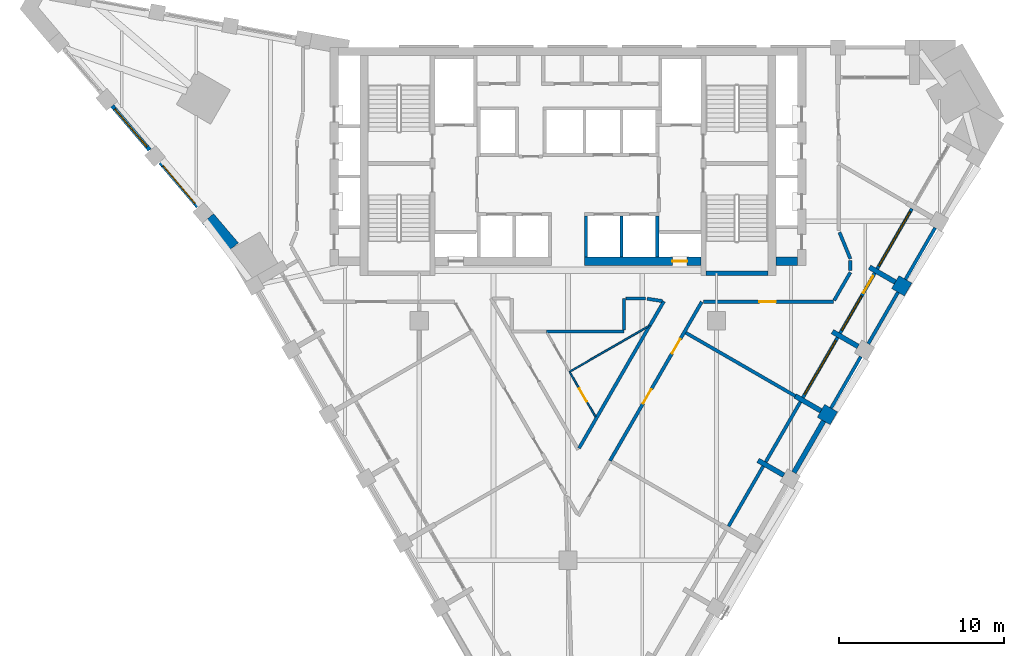
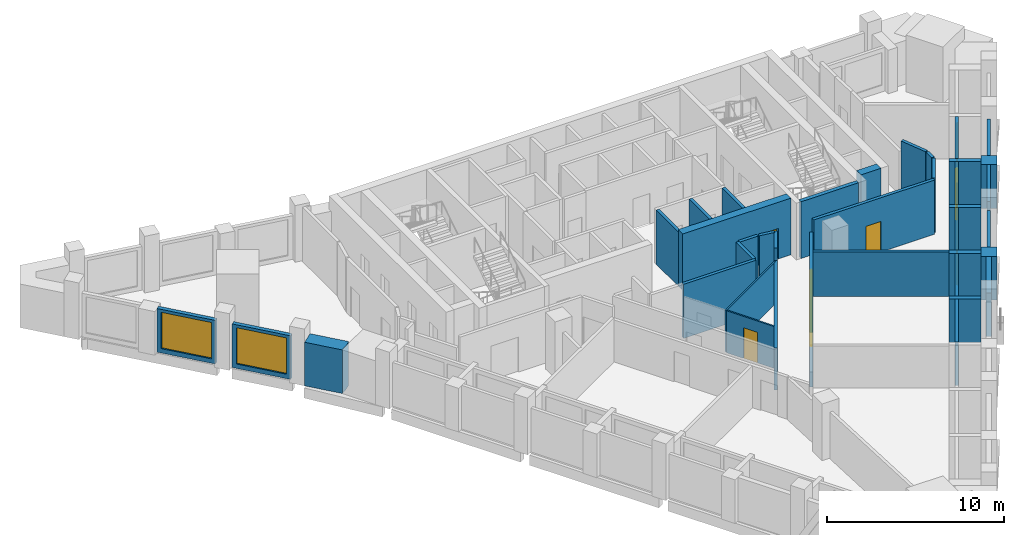
# One storey, part 4 of 9: 38 walls, 6 doors, 5 windows, 11 openings.
"""IFC4 building model written with IfcOpenShell, lengths in metres."""

import ifcopenshell
import ifcopenshell.guid

model = None  # the IFC model being written
_history = None  # IfcOwnerHistory: only IFC2X3 demands one
_inside = {}  # id of a spatial element -> (the spatial element, [elements in it])
_under = {}  # id of a project, library or spatial element -> (it, [spatial elements below it])
_declared = {}  # id of a project -> (the project, [libraries it declares])
_typed = {}  # id of a type object -> (the type object, [elements of that type])
_made_of = {}  # id of a material, layer set ... -> (it, [elements and type objects made of it])


def new_model(schema):
    """Start an empty IFC model of exactly this schema.

    Asked for "IFC4X3", IfcOpenShell would pick the latest addendum, in which some entities
    have other attributes; the version numbers below select the first issue.
    IFC2X3 requires an IfcOwnerHistory on every rooted entity: one is made here for all.
    """
    global model, _history
    if schema == "IFC4X3":
        model = ifcopenshell.file(schema_version=(4, 3, 0, 0))
    else:
        model = ifcopenshell.file(schema=schema)
    _inside.clear()
    _under.clear()
    _declared.clear()
    _typed.clear()
    _made_of.clear()
    _history = None
    if model.schema == "IFC2X3":
        org = make("IfcOrganization", Name="unknown")
        user = make(
            "IfcPersonAndOrganization",
            ThePerson=make("IfcPerson", FamilyName="unknown"),
            TheOrganization=org,
        )
        app = make(
            "IfcApplication",
            ApplicationDeveloper=org,
            Version="unknown",
            ApplicationFullName="unknown",
            ApplicationIdentifier="unknown",
        )
        _history = make(
            "IfcOwnerHistory",
            OwningUser=user,
            OwningApplication=app,
            ChangeAction="ADDED",
            CreationDate=0,
        )
    return model


def make(cls, **values):
    """One entity of the class cls with the attributes given. An attribute that is None is left unset."""
    return model.create_entity(
        cls, **{name: value for name, value in values.items() if value is not None}
    )


def rooted(cls, **values):
    """An entity with a GlobalId (a new one), such as an element, a storey or a relation."""
    return make(cls, GlobalId=ifcopenshell.guid.new(), OwnerHistory=_history, **values)


def si_unit(unit_type, name, prefix=None):
    """IfcSIUnit, for example si_unit("LENGTHUNIT", "METRE", prefix="MILLI")."""
    return make("IfcSIUnit", UnitType=unit_type, Prefix=prefix, Name=name)


def assignment(units):
    """IfcUnitAssignment: the units of a project."""
    return None if units is None else make("IfcUnitAssignment", Units=units)


def point(xyz):
    """IfcCartesianPoint."""
    return None if xyz is None else make("IfcCartesianPoint", Coordinates=xyz)


def direction(xyz):
    """IfcDirection."""
    return None if xyz is None else make("IfcDirection", DirectionRatios=xyz)


def frame(location, z_axis=None, x_axis=None):
    """IfcAxis2Placement3D, a coordinate frame: its origin and axes. An axis left out is left unset."""
    return make(
        "IfcAxis2Placement3D",
        Location=point(location),
        Axis=direction(z_axis),
        RefDirection=direction(x_axis),
    )


def frame_2d(location, x_axis=None):
    """IfcAxis2Placement2D, a coordinate frame in the plane: its origin and x axis."""
    return make(
        "IfcAxis2Placement2D", Location=point(location), RefDirection=direction(x_axis)
    )


def origin():
    """The frame at (0, 0, 0) with its axes left unset."""
    return frame((0.0, 0.0, 0.0))


def place(relative_to, where):
    """IfcLocalPlacement: puts the frame where relative to a parent placement (None: the world)."""
    return make(
        "IfcLocalPlacement", PlacementRelTo=relative_to, RelativePlacement=where
    )


def context(
    kind, dimensions, precision=None, world=None, true_north=None, identifier=None
):
    """IfcGeometricRepresentationContext, for example the 3D "Model" context."""
    return make(
        "IfcGeometricRepresentationContext",
        ContextIdentifier=identifier,
        ContextType=kind,
        CoordinateSpaceDimension=dimensions,
        Precision=precision,
        WorldCoordinateSystem=world,
        TrueNorth=true_north,
    )


def subcontext(parent, identifier, kind, view, scale=None):
    """IfcGeometricRepresentationSubContext, for example "Body" below "Model"."""
    return make(
        "IfcGeometricRepresentationSubContext",
        ContextIdentifier=identifier,
        ContextType=kind,
        ParentContext=parent,
        TargetScale=scale,
        TargetView=view,
    )


def project(units=None, contexts=None):
    """IfcProject with its units and contexts."""
    return rooted(
        "IfcProject",
        Name="project",
        RepresentationContexts=contexts,
        UnitsInContext=assignment(units),
    )


def spatial(cls, under=None, at=None, **own):
    """A site, building, storey or space (cls), placed at a placement, below another one or the project."""
    s = rooted(cls, ObjectPlacement=at, **own)
    if under is not None:
        _under.setdefault(under.id(), (under, []))[1].append(s)
    return s


def polyline(points):
    """IfcPolyline through the points."""
    return make("IfcPolyline", Points=[point(p) for p in points])


def profile(cls, at=None, kind="AREA", **sizes):
    """A parametric profile (cls). Its sizes go by their IFC names, for example OverallWidth=200.0."""
    return make(cls, ProfileType=kind, Position=at, **sizes)


def rectangle(**sizes):
    """IfcRectangleProfileDef."""
    return profile("IfcRectangleProfileDef", **sizes)


def outline(outer, holes=None, kind="AREA"):
    """IfcArbitraryClosedProfileDef: a profile drawn as a closed curve; with holes, ...WithVoids."""
    if holes is None:
        return make("IfcArbitraryClosedProfileDef", ProfileType=kind, OuterCurve=outer)
    return make(
        "IfcArbitraryProfileDefWithVoids",
        ProfileType=kind,
        OuterCurve=outer,
        InnerCurves=holes,
    )


def extrude(swept, where, along, depth):
    """IfcExtrudedAreaSolid: the profile swept, set in the frame where, extruded along a direction by depth."""
    return make(
        "IfcExtrudedAreaSolid",
        SweptArea=swept,
        Position=where,
        ExtrudedDirection=direction(along),
        Depth=depth,
    )


def shape(context_of_items, identifier, shape_type, items):
    """IfcShapeRepresentation: the items that make up one representation, for example the "Body"."""
    return make(
        "IfcShapeRepresentation",
        ContextOfItems=context_of_items,
        RepresentationIdentifier=identifier,
        RepresentationType=shape_type,
        Items=items,
    )


def material(Name=None, Category=None):
    """IfcMaterial."""
    return make("IfcMaterial", Name=Name, Category=Category)


def layer(
    of_material, thickness, ventilated=None, Name=None, Category=None, Priority=None
):
    """IfcMaterialLayer: one layer of a wall or slab, of a material (None: an air gap)."""
    return make(
        "IfcMaterialLayer",
        Material=of_material,
        LayerThickness=thickness,
        IsVentilated=ventilated,
        Name=Name,
        Category=Category,
        Priority=Priority,
    )


def layer_set(layers, Name=None):
    """IfcMaterialLayerSet."""
    return make("IfcMaterialLayerSet", MaterialLayers=layers, LayerSetName=Name)


def made_of(thing, what):
    """Note that an element or type object is made of a material, layer set ...; save() writes the relation."""
    if what is not None:
        _made_of.setdefault(what.id(), (what, []))[1].append(thing)
    return thing


def type_object(cls, material=None, **own):
    """A type object (cls), such as IfcWallType, which elements share."""
    return made_of(rooted(cls, **own), material)


def element(
    cls,
    number,
    at=None,
    inside=None,
    cuts=None,
    type_object=None,
    material=None,
    context=None,
    identifier="Body",
    shape_type=None,
    held_by="IfcProductDefinitionShape",
    body=None,
    shapes=None,
    **own,
):
    """One element of the class cls, such as IfcWall. Its Tag is "e" and its number.

    at: its placement. inside: the storey or other place that contains it. cuts: it is an
    opening in that element (IfcRelVoidsElement). A single representation is given by context,
    identifier, shape_type and body (its items); several are given by shapes. held_by: the class
    of the entity that holds the representations. save() writes the other relations.
    """
    e = rooted(cls, Tag="e%d" % number, ObjectPlacement=at, **own)
    if body is not None:
        shapes = [shape(context, identifier, shape_type, body)]
    if shapes is not None:
        e.Representation = make(held_by, Representations=shapes)
    if inside is not None:
        _inside.setdefault(inside.id(), (inside, []))[1].append(e)
    if cuts is not None:
        rooted(
            "IfcRelVoidsElement", RelatingBuildingElement=cuts, RelatedOpeningElement=e
        )
    if type_object is not None:
        _typed.setdefault(type_object.id(), (type_object, []))[1].append(e)
    return made_of(e, material)


def fill(opening, filler):
    """IfcRelFillsElement: the door or window that sits in an opening."""
    return rooted(
        "IfcRelFillsElement",
        RelatingOpeningElement=opening,
        RelatedBuildingElement=filler,
    )


def aggregate(whole, parts):
    """IfcRelAggregates: a whole, such as a stair, and the parts it consists of."""
    return rooted("IfcRelAggregates", RelatingObject=whole, RelatedObjects=parts)


def save(model, path):
    """Write the relations noted so far, then the file.

    IfcRelAggregates (storeys below a building ...), IfcRelContainedInSpatialStructure (elements
    in a storey), IfcRelDefinesByType, IfcRelAssociatesMaterial and IfcRelDeclares: one each for
    every whole, place, type object, material and project.
    """
    for whole, parts in _under.values():
        aggregate(whole, parts)
    for where, things in _inside.values():
        rooted(
            "IfcRelContainedInSpatialStructure",
            RelatedElements=things,
            RelatingStructure=where,
        )
    for kind, things in _typed.values():
        rooted("IfcRelDefinesByType", RelatedObjects=things, RelatingType=kind)
    for what, things in _made_of.values():
        rooted("IfcRelAssociatesMaterial", RelatedObjects=things, RelatingMaterial=what)
    for by, libraries in _declared.values():
        rooted("IfcRelDeclares", RelatingContext=by, RelatedDefinitions=libraries)
    model.write(path)


model = new_model("IFC4")

# Units and contexts
model_context = context("Model", 3, precision=1e-05, world=origin(), true_north=direction((0.0, 1.0)))
body_context = subcontext(model_context, "Body", "Model", "MODEL_VIEW")
ifc_project = project(units=[si_unit("LENGTHUNIT", "METRE"), si_unit("AREAUNIT", "SQUARE_METRE"), si_unit("VOLUMEUNIT", "CUBIC_METRE"), si_unit("PLANEANGLEUNIT", "RADIAN"), si_unit("MASSUNIT", "GRAM", prefix="KILO")], contexts=[model_context])

# Site, building, storey
site_placement = place(None, origin())
site = spatial("IfcSite", under=ifc_project, at=site_placement, CompositionType="ELEMENT")
building_placement = place(site_placement, origin())
building = spatial("IfcBuilding", under=site, at=building_placement, Name="Calabash Gate Tower", CompositionType="ELEMENT")
storey_placement = place(building_placement, frame((0.0, 0.0, 219.800048828125)))
storey = spatial("IfcBuildingStorey", under=building, at=storey_placement, Name="L52", CompositionType="ELEMENT", Elevation=219.800048828125)

# Walls
ifc_material_1 = material(Name="Terracotta brick masonry, exposed face", Category="masonry")
ifc_layer_1 = layer(ifc_material_1, 0.89990234375)
ifc_layer_set_1 = layer_set([ifc_layer_1], Name="Brick end wall 900")
wall_type_1 = type_object("IfcWallType", Name="Brick end wall 900", PredefinedType="SOLIDWALL", material=ifc_layer_set_1)
for number, where, z_axis, x_axis, name in (
    (1, (16.09912109375, -3.400634765625, 0.0), (0.0, 0.0, 1.0), (-0.865964261186, 0.500105887137, 0.0), "Brick pier S15 SE2.5"),
    (2, (20.59912109375, 4.3935546875, 0.0), (0.0, 0.0, 1.0), (-0.865964261186, 0.500105887137, 0.0), "Brick pier S15 SE2.7"),
):
    element("IfcWall", number, at=place(storey_placement, frame(where, z_axis=z_axis, x_axis=x_axis)), inside=storey, type_object=wall_type_1, Name=name, PredefinedType="SOLIDWALL", context=body_context, shape_type="SweptSolid", body=[
        extrude(rectangle(XDim=0.900146484375, YDim=0.89990234375, at=frame_2d((0.4501953125, 0.0))), origin(), (0.0, 0.0, 1.0), 3.0),
    ])
wall_1_placement = place(storey_placement, origin())
element("IfcWall", 3, at=wall_1_placement, inside=storey, type_object=wall_type_1, Name="Brick end wall S15 3", PredefinedType="SOLIDWALL", context=body_context, shape_type="SweptSolid", body=[
    extrude(outline(polyline([(-19.947998046875, 7.2197265625), (-21.44921875, 8.985595703125), (-22.135009765625, 8.402587890625), (-20.66015625, 6.667724609375), (-20.6806640625, 6.703125), (-20.291015625, 6.92822265625), (-19.947998046875, 7.2197265625)])), origin(), (0.0, 0.0, 1.0), 3.0),
])
ifc_material_2 = material(Name="Terracotta brick masonry, exposed face", Category="masonry")
ifc_layer_2 = layer(ifc_material_2, 0.300048828125)
ifc_layer_set_2 = layer_set([ifc_layer_2], Name="Brick infill panel wall 300")
wall_type_2 = type_object("IfcWallType", Name="Brick infill panel wall 300", PredefinedType="SOLIDWALL", material=ifc_layer_set_2)
wall_2_placement = place(storey_placement, frame((13.684326171875, -6.682861328125, 0.0), z_axis=(0.0, 0.0, 1.0), x_axis=(0.500012057535, 0.866018442252, 0.0)))
element("IfcWall", 4, at=wall_2_placement, inside=storey, type_object=wall_type_2, Name="Brick panel S15 SE2.5", PredefinedType="SOLIDWALL", context=body_context, shape_type="SweptSolid", body=[
    extrude(rectangle(XDim=3.60009765625, YDim=0.300048828125, at=frame_2d((1.800048828125, 0.0))), origin(), (0.0, 0.0, 1.0), 3.0),
])
ifc_material_3 = material(Name="Terracotta brick masonry, exposed face", Category="masonry")
ifc_layer_3 = layer(ifc_material_3, 0.300048828125)
ifc_layer_set_3 = layer_set([ifc_layer_3], Name="Brick loggia cheek wall 300")
wall_type_3 = type_object("IfcWallType", Name="Brick loggia cheek wall 300", PredefinedType="SOLIDWALL", material=ifc_layer_set_3)
for number, where, z_axis, x_axis, name in (
    (5, (13.069580078125, -6.84765625, 0.0), (0.0, 0.0, 1.0), (-0.866047807691, 0.499961193289, 0.0), "Loggia cheek S15 SE2.4"),
    (6, (15.319580078125, -2.950439453125, 0.0), (0.0, 0.0, 1.0), (-0.866047807691, 0.499961193289, 0.0), "Loggia cheek S15 SE2.5"),
):
    element("IfcWall", number, at=place(storey_placement, frame(where, z_axis=z_axis, x_axis=x_axis)), inside=storey, type_object=wall_type_3, Name=name, PredefinedType="SOLIDWALL", context=body_context, shape_type="SweptSolid", body=[
        extrude(rectangle(XDim=1.800048828125, YDim=0.300048828125, at=frame_2d((0.89990234375, 0.0))), origin(), (0.0, 0.0, 1.0), 3.0),
    ])
wall_3_placement = place(storey_placement, frame((17.569091796875, 0.94677734375, 0.0), z_axis=(0.0, 0.0, 1.0), x_axis=(-0.865979975379, 0.500078676053, 0.0)))
element("IfcWall", 7, at=wall_3_placement, inside=storey, type_object=wall_type_3, Name="Loggia cheek S15 SE2.6", PredefinedType="SOLIDWALL", context=body_context, shape_type="SweptSolid", body=[
    extrude(rectangle(XDim=1.799560546875, YDim=0.300048828125, at=frame_2d((0.89990234375, 0.0))), origin(), (0.0, 0.0, 1.0), 3.0),
])
wall_4_placement = place(storey_placement, frame((19.819580078125, 4.84375, 0.0), z_axis=(0.0, 0.0, 1.0), x_axis=(-0.866047807691, 0.499961193289, 0.0)))
element("IfcWall", 8, at=wall_4_placement, inside=storey, type_object=wall_type_3, Name="Loggia cheek S15 SE2.7", PredefinedType="SOLIDWALL", context=body_context, shape_type="SweptSolid", body=[
    extrude(rectangle(XDim=1.800048828125, YDim=0.300048828125, at=frame_2d((0.89990234375, 0.0))), origin(), (0.0, 0.0, 1.0), 3.0),
])
ifc_material_4 = material(Name="Concrete C70/85", Category="concrete")
ifc_layer_4 = layer(ifc_material_4, 0.25)
ifc_layer_set_4 = layer_set([ifc_layer_4], Name="Core wall 250 Concrete C70/85")
wall_type_4 = type_object("IfcWallType", Name="Core wall 250 Concrete C70/85", PredefinedType="SHEAR", material=ifc_layer_set_4)
wall_5_placement = place(storey_placement, frame((8.35009765625, 5.377685546875, 0.0), z_axis=(0.0, 0.0, 1.0), x_axis=(1.0, 0.0, 0.0)))
element("IfcWall", 9, at=wall_5_placement, inside=storey, type_object=wall_type_4, Name="Core wall Z4-SSE L52", PredefinedType="SHEAR", context=body_context, shape_type="SweptSolid", body=[
    extrude(rectangle(XDim=3.75, YDim=0.25, at=frame_2d((1.875, 0.0))), origin(), (0.0, 0.0, 1.0), 3.89990234375),
])

# Wall, opening, door
ifc_material_5 = material(Name="Concrete C70/85", Category="concrete")
ifc_layer_5 = layer(ifc_material_5, 0.5)
ifc_layer_set_5 = layer_set([ifc_layer_5], Name="Core wall 500 Concrete C70/85")
wall_type_5 = type_object("IfcWallType", Name="Core wall 500 Concrete C70/85", PredefinedType="SHEAR", material=ifc_layer_set_5)
wall_6_placement = place(storey_placement, frame((1.0, 6.1025390625, 0.0), z_axis=(0.0, 0.0, 1.0), x_axis=(1.0, 0.0, 0.0)))
wall_6 = element("IfcWall", 10, at=wall_6_placement, inside=storey, type_object=wall_type_5, Name="Core wall Z4-SB L52", PredefinedType="SHEAR", context=body_context, shape_type="SweptSolid", body=[
    extrude(rectangle(XDim=7.050048828125, YDim=0.5, at=frame_2d((3.52490234375, 0.0))), origin(), (0.0, 0.0, 1.0), 3.89990234375),
])
opening_1_placement = place(wall_6_placement, frame((5.324951171875, 0.0, 0.0)))
opening_1 = element("IfcOpeningElement", 11, at=opening_1_placement, cuts=wall_6, Name="Opening O7-016", PredefinedType="OPENING", context=body_context, shape_type="SweptSolid", body=[
    extrude(rectangle(XDim=0.89990234375, YDim=2.10009765625, at=frame_2d((0.449951171875, 1.050048828125))), frame((0.0, 0.260009765625, 0.0), z_axis=(0.0, -1.0, 0.0), x_axis=(1.0, 0.0, 0.0)), (0.0, 0.0, 1.0), 0.52001953125),
])
ifc_material_6 = material(Name="Steel fire door set with fire-resisting glazing", Category="steel")
door_type_1 = type_object("IfcDoorType", Name="Fire door D07 900x2100 FD90", OperationType="NOTDEFINED", PredefinedType="DOOR", material=ifc_material_6)
door_1_placement = place(opening_1_placement, origin())
door_1 = element("IfcDoor", 12, at=door_1_placement, inside=storey, type_object=door_type_1, Name="Mechanical Riser E door", OperationType="SINGLE_SWING_RIGHT", OverallHeight=2.10009765625, OverallWidth=0.89990234375, PredefinedType="DOOR", context=body_context, shape_type="SweptSolid", body=[
    extrude(rectangle(XDim=0.89990234375, YDim=2.10009765625, at=frame_2d((0.449951171875, 1.050048828125))), frame((0.0, 0.02490234375, 0.0), z_axis=(0.0, -1.0, 0.0), x_axis=(1.0, 0.0, 0.0)), (0.0, 0.0, 1.0), 0.050048828125),
])
fill(opening_1, door_1)

# Wall
wall_7_placement = place(storey_placement, frame((12.60009765625, 6.1025390625, 0.0), z_axis=(0.0, 0.0, 1.0), x_axis=(1.0, 0.0, 0.0)))
element("IfcWall", 13, at=wall_7_placement, inside=storey, type_object=wall_type_5, Name="Core wall Z4-SE L52", PredefinedType="SHEAR", context=body_context, shape_type="SweptSolid", body=[
    extrude(rectangle(XDim=1.2998046875, YDim=0.5, at=frame_2d((0.64990234375, 0.0))), origin(), (0.0, 0.0, 1.0), 3.89990234375),
])

# Wall, opening, door
ifc_material_7 = material(Name="Gypsum board on steel studs, mineral wool", Category="steel")
ifc_layer_6 = layer(ifc_material_7, 0.10009765625)
ifc_layer_set_6 = layer_set([ifc_layer_6], Name="Partition 100 gypsum board")
wall_type_6 = type_object("IfcWallType", Name="Partition 100 gypsum board", PredefinedType="PARTITIONING", material=ifc_layer_set_6)
wall_8_placement = place(storey_placement, frame((0.1240234375, -0.631103515625, 0.0), z_axis=(0.0, 0.0, 1.0), x_axis=(0.500479866737, -0.865748175274, 0.0)))
wall_8 = element("IfcWall", 14, at=wall_8_placement, inside=storey, type_object=wall_type_6, Name="Partition", PredefinedType="PARTITIONING", context=body_context, shape_type="SweptSolid", body=[
    extrude(rectangle(XDim=3.0966796875, YDim=0.10009765625, at=frame_2d((1.54833984375, 0.0))), origin(), (0.0, 0.0, 1.0), 2.884033203125),
])
opening_2_placement = place(wall_8_placement, frame((1.123779296875, 0.0, 0.0)))
opening_2 = element("IfcOpeningElement", 15, at=opening_2_placement, cuts=wall_8, Name="Opening 52-54-015", PredefinedType="OPENING", context=body_context, shape_type="SweptSolid", body=[
    extrude(rectangle(XDim=0.89990234375, YDim=2.10009765625, at=frame_2d((0.449951171875, 1.050048828125))), frame((0.0, 0.06005859375, 0.0), z_axis=(0.0, -1.0, 0.0), x_axis=(1.0, 0.0, 0.0)), (0.0, 0.0, 1.0), 0.1201171875),
])
ifc_material_8 = material(Name="Painted timber door", Category="wood")
door_type_2 = type_object("IfcDoorType", Name="WD1 WC door 900x2100", OperationType="NOTDEFINED", PredefinedType="DOOR", material=ifc_material_8)
door_2_placement = place(opening_2_placement, origin())
door_2 = element("IfcDoor", 16, at=door_2_placement, inside=storey, type_object=door_type_2, Name="WC door", OperationType="SINGLE_SWING_RIGHT", OverallHeight=2.10009765625, OverallWidth=0.89990234375, PredefinedType="DOOR", context=body_context, shape_type="SweptSolid", body=[
    extrude(rectangle(XDim=0.89990234375, YDim=2.10009765625, at=frame_2d((0.449951171875, 1.050048828125))), frame((0.0, 0.02490234375, 0.0), z_axis=(0.0, -1.0, 0.0), x_axis=(1.0, 0.0, 0.0)), (0.0, 0.0, 1.0), 0.050048828125),
])
fill(opening_2, door_2)

# Walls
wall_9_placement = place(storey_placement, frame((0.09912109375, -0.587646484375, 0.0), z_axis=(0.0, 0.0, 1.0), x_axis=(0.866176017048, 0.49973903939, 0.0)))
element("IfcWall", 17, at=wall_9_placement, inside=storey, type_object=wall_type_6, Name="Partition", PredefinedType="PARTITIONING", context=body_context, shape_type="SweptSolid", body=[
    extrude(rectangle(XDim=5.52197265625, YDim=0.10009765625, at=frame_2d((2.760986328125, 0.0))), origin(), (0.0, 0.0, 1.0), 2.884033203125),
])
ifc_material_9 = material(Name="Gypsum board on steel studs, mineral wool", Category="steel")
ifc_layer_7 = layer(ifc_material_9, 0.199951171875)
ifc_layer_set_7 = layer_set([ifc_layer_7], Name="Partition 200 gypsum board EI 60")
wall_type_7 = type_object("IfcWallType", Name="Partition 200 gypsum board EI 60", PredefinedType="PARTITIONING", material=ifc_layer_set_7)
wall_10_placement = place(storey_placement, frame((0.67578125, -5.213623046875, 0.0), z_axis=(0.0, 0.0, 1.0), x_axis=(0.499295729612, 0.866431632843, 0.0)))
element("IfcWall", 18, at=wall_10_placement, inside=storey, type_object=wall_type_7, Name="Partition", PredefinedType="PARTITIONING", context=body_context, shape_type="SweptSolid", body=[
    extrude(rectangle(XDim=8.58642578125, YDim=0.199951171875, at=frame_2d((4.293212890625, 0.0))), origin(), (0.0, 0.0, 1.0), 2.884033203125),
])
wall_11_placement = place(storey_placement, frame((7.13720703125, 1.77587890625, 0.0), z_axis=(0.0, 0.0, 1.0), x_axis=(0.865929891815, -0.500165395106, 0.0)))
element("IfcWall", 19, at=wall_11_placement, inside=storey, type_object=wall_type_7, Name="Partition", PredefinedType="PARTITIONING", context=body_context, shape_type="SweptSolid", body=[
    extrude(rectangle(XDim=7.6494140625, YDim=0.199951171875, at=frame_2d((3.82470703125, 0.0))), origin(), (0.0, 0.0, 1.0), 3.0517578125),
])
wall_12_placement = place(storey_placement, frame((-1.308837890625, 1.8505859375, 0.0), z_axis=(0.0, 0.0, 1.0), x_axis=(0.999999934138, 0.000362938743, 0.0)))
element("IfcWall", 20, at=wall_12_placement, inside=storey, type_object=wall_type_7, Name="Partition", PredefinedType="PARTITIONING", context=body_context, shape_type="SweptSolid", body=[
    extrude(rectangle(XDim=4.708740234375, YDim=0.199951171875, at=frame_2d((2.3544921875, 0.0))), origin(), (0.0, 0.0, 1.0), 3.72998046875),
])
wall_13_placement = place(storey_placement, frame((4.9677734375, 2.223388671875, 0.0), z_axis=(0.0, 0.0, 1.0), x_axis=(0.500876298319, 0.865518881239, 0.0)))
element("IfcWall", 21, at=wall_13_placement, inside=storey, type_object=wall_type_7, Name="Partition", PredefinedType="PARTITIONING", context=body_context, shape_type="SweptSolid", body=[
    extrude(rectangle(XDim=1.6845703125, YDim=0.199951171875, at=frame_2d((0.84228515625, 0.0))), origin(), (0.0, 0.0, 1.0), 3.72998046875),
])

# Wall, openings, doors
wall_14_placement = place(storey_placement, frame((2.55078125, -5.970703125, 0.0), z_axis=(0.0, 0.0, 1.0), x_axis=(0.500007765274, 0.866020920455, 0.0)))
wall_14 = element("IfcWall", 22, at=wall_14_placement, inside=storey, type_object=wall_type_7, Name="Partition", PredefinedType="PARTITIONING", context=body_context, shape_type="SweptSolid", body=[
    extrude(rectangle(XDim=11.110595703125, YDim=0.199951171875, at=frame_2d((5.55517578125, 0.0))), origin(), (0.0, 0.0, 1.0), 2.884033203125),
])
opening_3_placement = place(wall_14_placement, frame((4.0, 0.0, 0.0)))
opening_3 = element("IfcOpeningElement", 23, at=opening_3_placement, cuts=wall_14, Name="Opening 52-54-003", PredefinedType="OPENING", context=body_context, shape_type="SweptSolid", body=[
    extrude(rectangle(XDim=1.0, YDim=2.10009765625, at=frame_2d((0.5, 1.050048828125))), frame((0.0, 0.10986328125, 0.0), z_axis=(0.0, -1.0, 0.0), x_axis=(1.0, 0.0, 0.0)), (0.0, 0.0, 1.0), 0.219970703125),
])
opening_4_placement = place(wall_14_placement, frame((7.501708984375, 0.0, 0.0)))
opening_4 = element("IfcOpeningElement", 24, at=opening_4_placement, cuts=wall_14, Name="Opening 52-54-004", PredefinedType="OPENING", context=body_context, shape_type="SweptSolid", body=[
    extrude(rectangle(XDim=1.0, YDim=2.10009765625, at=frame_2d((0.5, 1.050048828125))), frame((0.0, 0.10986328125, 0.0), z_axis=(0.0, -1.0, 0.0), x_axis=(1.0, 0.0, 0.0)), (0.0, 0.0, 1.0), 0.219970703125),
])
ifc_material_10 = material(Name="Steel fire door set with fire-resisting glazing", Category="steel")
door_type_3 = type_object("IfcDoorType", Name="LD2 Meeting room door 1000x2100", OperationType="NOTDEFINED", PredefinedType="DOOR", material=ifc_material_10)
door_3_placement = place(opening_3_placement, origin())
door_3 = element("IfcDoor", 25, at=door_3_placement, inside=storey, type_object=door_type_3, Name="Meeting room door", OperationType="SINGLE_SWING_LEFT", OverallHeight=2.10009765625, OverallWidth=1.0, PredefinedType="DOOR", context=body_context, shape_type="SweptSolid", body=[
    extrude(rectangle(XDim=1.0, YDim=2.10009765625, at=frame_2d((0.5, 1.050048828125))), frame((0.0, 0.02490234375, 0.0), z_axis=(0.0, -1.0, 0.0), x_axis=(1.0, 0.0, 0.0)), (0.0, 0.0, 1.0), 0.050048828125),
])
fill(opening_3, door_3)
door_4_placement = place(opening_4_placement, origin())
door_4 = element("IfcDoor", 26, at=door_4_placement, inside=storey, type_object=door_type_3, Name="Meeting room door", OperationType="SINGLE_SWING_RIGHT", OverallHeight=2.10009765625, OverallWidth=1.0, PredefinedType="DOOR", context=body_context, shape_type="SweptSolid", body=[
    extrude(rectangle(XDim=1.0, YDim=2.10009765625, at=frame_2d((0.5, 1.050048828125))), frame((0.0, 0.02490234375, 0.0), z_axis=(0.0, -1.0, 0.0), x_axis=(1.0, 0.0, 0.0)), (0.0, 0.0, 1.0), 0.050048828125),
])
fill(opening_4, door_4)

# Wall, opening, door
wall_15_placement = place(storey_placement, frame((8.204833984375, 3.652099609375, 0.0), z_axis=(0.0, 0.0, 1.0), x_axis=(1.0, 0.0, 0.0)))
wall_15 = element("IfcWall", 27, at=wall_15_placement, inside=storey, type_object=wall_type_7, Name="Partition", PredefinedType="PARTITIONING", context=body_context, shape_type="SweptSolid", body=[
    extrude(rectangle(XDim=7.867431640625, YDim=0.199951171875, at=frame_2d((3.93359375, 0.0))), origin(), (0.0, 0.0, 1.0), 3.72998046875),
])
opening_5_placement = place(wall_15_placement, frame((3.3837890625, 0.0, 0.0)))
opening_5 = element("IfcOpeningElement", 28, at=opening_5_placement, cuts=wall_15, Name="Opening 52-54-009", PredefinedType="OPENING", context=body_context, shape_type="SweptSolid", body=[
    extrude(rectangle(XDim=1.0, YDim=2.10009765625, at=frame_2d((0.5, 1.050048828125))), frame((0.0, 0.10986328125, 0.0), z_axis=(0.0, -1.0, 0.0), x_axis=(1.0, 0.0, 0.0)), (0.0, 0.0, 1.0), 0.219970703125),
])
door_5_placement = place(opening_5_placement, origin())
door_5 = element("IfcDoor", 29, at=door_5_placement, inside=storey, type_object=door_type_3, Name="Meeting room door", OperationType="SINGLE_SWING_LEFT", OverallHeight=2.10009765625, OverallWidth=1.0, PredefinedType="DOOR", context=body_context, shape_type="SweptSolid", body=[
    extrude(rectangle(XDim=1.0, YDim=2.10009765625, at=frame_2d((0.5, 1.050048828125))), frame((0.0, 0.02490234375, 0.0), z_axis=(0.0, -1.0, 0.0), x_axis=(1.0, 0.0, 0.0)), (0.0, 0.0, 1.0), 0.050048828125),
])
fill(opening_5, door_5)

# Walls
wall_16_placement = place(storey_placement, frame((4.798828125, 3.837158203125, 0.0), z_axis=(0.0, 0.0, 1.0), x_axis=(0.988365591488, -0.152096869008, 0.0)))
element("IfcWall", 30, at=wall_16_placement, inside=storey, type_object=wall_type_7, Name="Partition", PredefinedType="PARTITIONING", context=body_context, shape_type="SweptSolid", body=[
    extrude(rectangle(XDim=0.924560546875, YDim=0.199951171875, at=frame_2d((0.46240234375, 0.0))), origin(), (0.0, 0.0, 1.0), 3.72998046875),
])
wall_17_placement = place(storey_placement, frame((3.400146484375, 1.952392578125, 0.0), z_axis=(0.0, 0.0, 1.0), x_axis=(0.001028938362, 0.999999470643, 0.0)))
element("IfcWall", 31, at=wall_17_placement, inside=storey, type_object=wall_type_7, Name="Partition", PredefinedType="PARTITIONING", context=body_context, shape_type="SweptSolid", body=[
    extrude(rectangle(XDim=1.898193359375, YDim=0.199951171875, at=frame_2d((0.94921875, 0.0))), origin(), (0.0, 0.0, 1.0), 3.72998046875),
])
wall_18_placement = place(storey_placement, frame((3.501953125, 3.8505859375, 0.0), z_axis=(0.0, 0.0, 1.0), x_axis=(0.999998982503, 0.001426532072, 0.0)))
element("IfcWall", 32, at=wall_18_placement, inside=storey, type_object=wall_type_7, Name="Partition", PredefinedType="PARTITIONING", context=body_context, shape_type="SweptSolid", body=[
    extrude(rectangle(XDim=1.197998046875, YDim=0.199951171875, at=frame_2d((0.59912109375, 0.0))), origin(), (0.0, 0.0, 1.0), 3.72998046875),
])
wall_19_placement = place(storey_placement, frame((16.122314453125, 3.73876953125, 0.0), z_axis=(0.0, 0.0, 1.0), x_axis=(0.500017700655, 0.866015184065, 0.0)))
element("IfcWall", 33, at=wall_19_placement, inside=storey, type_object=wall_type_7, Name="Partition", PredefinedType="PARTITIONING", context=body_context, shape_type="SweptSolid", body=[
    extrude(rectangle(XDim=1.95654296875, YDim=0.199951171875, at=frame_2d((0.978271484375, 0.0))), origin(), (0.0, 0.0, 1.0), 3.72998046875),
])
wall_20_placement = place(storey_placement, frame((17.1005859375, 6.152587890625, 0.0), z_axis=(0.0, 0.0, 1.0), x_axis=(0.0, -1.0, 0.0)))
element("IfcWall", 34, at=wall_20_placement, inside=storey, type_object=wall_type_7, Name="Partition", PredefinedType="PARTITIONING", context=body_context, shape_type="SweptSolid", body=[
    extrude(rectangle(XDim=0.619384765625, YDim=0.199951171875, at=frame_2d((0.3095703125, 0.0))), origin(), (0.0, 0.0, 1.0), 3.72998046875),
])
wall_21_placement = place(storey_placement, frame((16.438720703125, 7.860107421875, 0.0), z_axis=(0.0, 0.0, 1.0), x_axis=(0.380742741509, -0.924681007044, 0.0)))
element("IfcWall", 35, at=wall_21_placement, inside=storey, type_object=wall_type_7, Name="Partition", PredefinedType="PARTITIONING", context=body_context, shape_type="SweptSolid", body=[
    extrude(rectangle(XDim=1.73828125, YDim=0.199951171875, at=frame_2d((0.869140625, 0.0))), origin(), (0.0, 0.0, 1.0), 3.72998046875),
])

# Wall, opening, window
ifc_material_11 = material(Name="Aluminium framed window wall with insulated spandrel", Category="aluminium")
ifc_layer_8 = layer(ifc_material_11, 0.25)
ifc_layer_set_8 = layer_set([ifc_layer_8], Name="Prow window wall 250")
wall_type_8 = type_object("IfcWallType", Name="Prow window wall 250", PredefinedType="ELEMENTEDWALL", material=ifc_layer_set_8)
wall_22_placement = place(storey_placement, frame((-27.589111328125, 15.512939453125, 0.0), z_axis=(0.0, 0.0, 1.0), x_axis=(0.647741556426, -0.761860142073, 0.0)))
wall_22 = element("IfcWall", 36, at=wall_22_placement, inside=storey, type_object=wall_type_8, Name="Prow window wall S15 wedge7.2", PredefinedType="ELEMENTEDWALL", context=body_context, shape_type="SweptSolid", body=[
    extrude(rectangle(XDim=3.5, YDim=0.25, at=frame_2d((1.75, 0.0))), origin(), (0.0, 0.0, 1.0), 3.0),
])
opening_6_placement = place(wall_22_placement, frame((0.25, 0.0, 0.300048828125)))
opening_6 = element("IfcOpeningElement", 37, at=opening_6_placement, cuts=wall_22, Name="Opening WP2", PredefinedType="OPENING", context=body_context, shape_type="SweptSolid", body=[
    extrude(rectangle(XDim=3.0, YDim=2.5, at=frame_2d((1.5, 1.25))), frame((0.0, 0.135009765625, 0.0), z_axis=(0.0, -1.0, 0.0), x_axis=(1.0, 0.0, 0.0)), (0.0, 0.0, 1.0), 0.27001953125),
])
ifc_material_12 = material(Name="Anodised aluminium frame, bronze finish, impact-rated laminated clear glazing", Category="aluminium")
window_type_1 = type_object("IfcWindowType", Name="Window WP2 3000x2500", PartitioningType="DOUBLE_PANEL_VERTICAL", PredefinedType="WINDOW", material=ifc_material_12)
window_1_placement = place(opening_6_placement, origin())
window_1 = element("IfcWindow", 38, at=window_1_placement, inside=storey, type_object=window_type_1, Name="Prow window WP2 S15 wedge7.2", OverallHeight=2.5, OverallWidth=3.0, PartitioningType="SINGLE_PANEL", PredefinedType="WINDOW", context=body_context, shape_type="SweptSolid", body=[
    extrude(rectangle(XDim=3.0, YDim=2.5, at=frame_2d((1.5, 1.25))), frame((0.0, 0.030029296875, 0.0), z_axis=(0.0, -1.0, 0.0), x_axis=(1.0, 0.0, 0.0)), (0.0, 0.0, 1.0), 0.06005859375),
])
fill(opening_6, window_1)

wall_23_placement = place(storey_placement, frame((-24.67431640625, 12.08447265625, 0.0), z_axis=(0.0, 0.0, 1.0), x_axis=(0.647701065937, -0.761894565661, 0.0)))
wall_23 = element("IfcWall", 39, at=wall_23_placement, inside=storey, type_object=wall_type_8, Name="Prow window wall S15 wedge7.3", PredefinedType="ELEMENTEDWALL", context=body_context, shape_type="SweptSolid", body=[
    extrude(rectangle(XDim=3.499755859375, YDim=0.25, at=frame_2d((1.75, 0.0))), origin(), (0.0, 0.0, 1.0), 3.0),
])
opening_7_placement = place(wall_23_placement, frame((0.25, 0.0, 0.300048828125)))
opening_7 = element("IfcOpeningElement", 40, at=opening_7_placement, cuts=wall_23, Name="Opening WP2", PredefinedType="OPENING", context=body_context, shape_type="SweptSolid", body=[
    extrude(rectangle(XDim=3.0, YDim=2.5, at=frame_2d((1.5, 1.25))), frame((0.0, 0.135009765625, 0.0), z_axis=(0.0, -1.0, 0.0), x_axis=(1.0, 0.0, 0.0)), (0.0, 0.0, 1.0), 0.27001953125),
])
window_2_placement = place(opening_7_placement, origin())
window_2 = element("IfcWindow", 41, at=window_2_placement, inside=storey, type_object=window_type_1, Name="Prow window WP2 S15 wedge7.3", OverallHeight=2.5, OverallWidth=3.0, PartitioningType="SINGLE_PANEL", PredefinedType="WINDOW", context=body_context, shape_type="SweptSolid", body=[
    extrude(rectangle(XDim=3.0, YDim=2.5, at=frame_2d((1.5, 1.25))), frame((0.0, 0.030029296875, 0.0), z_axis=(0.0, -1.0, 0.0), x_axis=(1.0, 0.0, 0.0)), (0.0, 0.0, 1.0), 0.06005859375),
])
fill(opening_7, window_2)

# Walls
ifc_material_13 = material(Name="Concrete C40/50", Category="concrete")
ifc_layer_9 = layer(ifc_material_13, 0.199951171875)
ifc_layer_set_9 = layer_set([ifc_layer_9], Name="Shaft wall 200 Concrete C40/50")
wall_type_9 = type_object("IfcWallType", Name="Shaft wall 200 Concrete C40/50", PredefinedType="SOLIDWALL", material=ifc_layer_set_9)
for number, where, z_axis, x_axis, name in (
    (42, (1.10009765625, 6.3525390625, 0.0), (0.0, 0.0, 1.0), (0.0, 1.0, 0.0), "Shaft wall"),
    (43, (3.25, 6.3525390625, 0.0), (0.0, 0.0, 1.0), (0.0, 1.0, 0.0), "Shaft wall"),
    (44, (5.39990234375, 6.3525390625, 0.0), (0.0, 0.0, 1.0), (0.0, 1.0, 0.0), "Shaft wall"),
):
    element("IfcWall", number, at=place(storey_placement, frame(where, z_axis=z_axis, x_axis=x_axis)), inside=storey, type_object=wall_type_9, Name=name, PredefinedType="SOLIDWALL", context=body_context, shape_type="SweptSolid", body=[
        extrude(rectangle(XDim=2.5, YDim=0.199951171875, at=frame_2d((1.25, 0.0))), origin(), (0.0, 0.0, 1.0), 3.72998046875),
    ])
ifc_material_14 = material(Name="Terracotta brick masonry, perforated", Category="masonry")
ifc_layer_10 = layer(ifc_material_14, 0.199951171875)
ifc_layer_set_10 = layer_set([ifc_layer_10], Name="Terracotta jaali screen A")
wall_type_10 = type_object("IfcWallType", Name="Terracotta jaali screen A", PredefinedType="SOLIDWALL", material=ifc_layer_set_10)
for number, where, z_axis, x_axis, name in (
    (45, (15.934326171875, -2.785888671875, 0.0), (0.0, 0.0, 1.0), (0.500012057535, 0.866018442252, 0.0), "SCREEN A S15 SE2.6"),
    (46, (18.184326171875, 1.111328125, 0.0), (0.0, 0.0, 1.0), (0.500012057535, 0.866018442252, 0.0), "SCREEN A S15 SE2.7"),
    (47, (20.434326171875, 5.00830078125, 0.0), (0.0, 0.0, 1.0), (0.500012057535, 0.866018442252, 0.0), "SCREEN A S15 SE2.8"),
):
    element("IfcWall", number, at=place(storey_placement, frame(where, z_axis=z_axis, x_axis=x_axis)), inside=storey, type_object=wall_type_10, Name=name, PredefinedType="SOLIDWALL", context=body_context, shape_type="SweptSolid", body=[
        extrude(rectangle(XDim=3.60009765625, YDim=0.199951171875, at=frame_2d((1.800048828125, 0.0))), origin(), (0.0, 0.0, 1.0), 3.0),
    ])
ifc_material_15 = material(Name="Aluminium framed window wall with insulated spandrel", Category="aluminium")
ifc_layer_11 = layer(ifc_material_15, 0.199951171875)
ifc_layer_set_11 = layer_set([ifc_layer_11], Name="Window wall 200")
wall_type_11 = type_object("IfcWallType", Name="Window wall 200", PredefinedType="ELEMENTEDWALL", material=ifc_layer_set_11)
wall_24_placement = place(storey_placement, frame((9.725341796875, -9.93994140625, 0.0), z_axis=(0.0, 0.0, 1.0), x_axis=(0.500002543286, 0.866023935413, 0.0)))
element("IfcWall", 48, at=wall_24_placement, inside=storey, type_object=wall_type_11, Name="Window wall S15 SE2.4", PredefinedType="ELEMENTEDWALL", context=body_context, shape_type="SweptSolid", body=[
    extrude(rectangle(XDim=4.2001953125, YDim=0.199951171875, at=frame_2d((2.10009765625, 0.0))), origin(), (0.0, 0.0, 1.0), 3.0),
])
wall_25_placement = place(storey_placement, frame((11.975341796875, -6.042724609375, 0.0), z_axis=(0.0, 0.0, 1.0), x_axis=(0.500027713859, 0.866009402589, 0.0)))
element("IfcWall", 49, at=wall_25_placement, inside=storey, type_object=wall_type_11, Name="Window wall S15 SE2.5", PredefinedType="ELEMENTEDWALL", context=body_context, shape_type="SweptSolid", body=[
    extrude(rectangle(XDim=4.199951171875, YDim=0.199951171875, at=frame_2d((2.10009765625, 0.0))), origin(), (0.0, 0.0, 1.0), 3.0),
])

# Wall, opening, window
wall_26_placement = place(storey_placement, frame((14.225341796875, -2.145751953125, 0.0), z_axis=(0.0, 0.0, 1.0), x_axis=(0.500002543286, 0.866023935413, 0.0)))
wall_26 = element("IfcWall", 50, at=wall_26_placement, inside=storey, type_object=wall_type_11, Name="Window wall S15 SE2.6", PredefinedType="ELEMENTEDWALL", context=body_context, shape_type="SweptSolid", body=[
    extrude(rectangle(XDim=4.2001953125, YDim=0.199951171875, at=frame_2d((2.10009765625, 0.0))), origin(), (0.0, 0.0, 1.0), 3.0),
])
opening_8_placement = place(wall_26_placement, frame((0.199951171875, 0.0, 0.449951171875)))
opening_8 = element("IfcOpeningElement", 51, at=opening_8_placement, cuts=wall_26, Name="Opening OW2", PredefinedType="OPENING", context=body_context, shape_type="SweptSolid", body=[
    extrude(rectangle(XDim=3.800048828125, YDim=2.25, at=frame_2d((1.89990234375, 1.125))), frame((0.0, 0.10986328125, 0.0), z_axis=(0.0, -1.0, 0.0), x_axis=(1.0, 0.0, 0.0)), (0.0, 0.0, 1.0), 0.219970703125),
])
ifc_material_16 = material(Name="Anodised aluminium frame, bronze finish, impact-rated laminated clear glazing", Category="aluminium")
window_type_2 = type_object("IfcWindowType", Name="Window OW2 3800x2250", PartitioningType="TRIPLE_PANEL_VERTICAL", PredefinedType="WINDOW", material=ifc_material_16)
window_3_placement = place(opening_8_placement, origin())
window_3 = element("IfcWindow", 52, at=window_3_placement, inside=storey, type_object=window_type_2, Name="Window OW2 S15 SE2.6", OverallHeight=2.25, OverallWidth=3.800048828125, PartitioningType="SINGLE_PANEL", PredefinedType="WINDOW", context=body_context, shape_type="SweptSolid", body=[
    extrude(rectangle(XDim=3.800048828125, YDim=2.25, at=frame_2d((1.89990234375, 1.125))), frame((0.0, 0.030029296875, 0.0), z_axis=(0.0, -1.0, 0.0), x_axis=(1.0, 0.0, 0.0)), (0.0, 0.0, 1.0), 0.06005859375),
])
fill(opening_8, window_3)

# Wall, openings, door, window
wall_27_placement = place(storey_placement, frame((16.475341796875, 1.75146484375, 0.0), z_axis=(0.0, 0.0, 1.0), x_axis=(0.500027713859, 0.866009402589, 0.0)))
wall_27 = element("IfcWall", 53, at=wall_27_placement, inside=storey, type_object=wall_type_11, Name="Window wall S15 SE2.7", PredefinedType="ELEMENTEDWALL", context=body_context, shape_type="SweptSolid", body=[
    extrude(rectangle(XDim=4.199951171875, YDim=0.199951171875, at=frame_2d((2.10009765625, 0.0))), origin(), (0.0, 0.0, 1.0), 3.0),
])
opening_9_placement = place(wall_27_placement, frame((0.199951171875, 0.0, 0.449951171875)))
opening_9 = element("IfcOpeningElement", 54, at=opening_9_placement, cuts=wall_27, Name="Opening OW1", PredefinedType="OPENING", context=body_context, shape_type="SweptSolid", body=[
    extrude(rectangle(XDim=2.39990234375, YDim=2.25, at=frame_2d((1.199951171875, 1.125))), frame((0.0, 0.10986328125, 0.0), z_axis=(0.0, -1.0, 0.0), x_axis=(1.0, 0.0, 0.0)), (0.0, 0.0, 1.0), 0.219970703125),
])
opening_10_placement = place(wall_27_placement, frame((2.800048828125, 0.0, 0.0)))
opening_10 = element("IfcOpeningElement", 55, at=opening_10_placement, cuts=wall_27, Name="Opening O7-023", PredefinedType="OPENING", context=body_context, shape_type="SweptSolid", body=[
    extrude(rectangle(XDim=1.199951171875, YDim=2.699951171875, at=frame_2d((0.60009765625, 1.35009765625))), frame((0.0, 0.10986328125, 0.0), z_axis=(0.0, -1.0, 0.0), x_axis=(1.0, 0.0, 0.0)), (0.0, 0.0, 1.0), 0.219970703125),
])
ifc_material_17 = material(Name="Anodised aluminium frame, bronze finish, impact-rated laminated clear glazing", Category="aluminium")
door_type_4 = type_object("IfcDoorType", Name="Loggia door DO1 1200x2700", OperationType="SLIDING_TO_LEFT", PredefinedType="DOOR", material=ifc_material_17)
door_6_placement = place(opening_10_placement, origin())
door_6 = element("IfcDoor", 56, at=door_6_placement, inside=storey, type_object=door_type_4, Name="Loggia door S15 SE2.7", OperationType="SINGLE_SWING_LEFT", OverallHeight=2.699951171875, OverallWidth=1.199951171875, PredefinedType="DOOR", context=body_context, shape_type="SweptSolid", body=[
    extrude(rectangle(XDim=1.199951171875, YDim=2.699951171875, at=frame_2d((0.60009765625, 1.35009765625))), frame((0.0, 0.02490234375, 0.0), z_axis=(0.0, -1.0, 0.0), x_axis=(1.0, 0.0, 0.0)), (0.0, 0.0, 1.0), 0.050048828125),
])
fill(opening_10, door_6)
ifc_material_18 = material(Name="Anodised aluminium frame, bronze finish, impact-rated laminated clear glazing", Category="aluminium")
window_type_3 = type_object("IfcWindowType", Name="Window OW1 2400x2250", PartitioningType="DOUBLE_PANEL_VERTICAL", PredefinedType="WINDOW", material=ifc_material_18)
window_4_placement = place(opening_9_placement, origin())
window_4 = element("IfcWindow", 57, at=window_4_placement, inside=storey, type_object=window_type_3, Name="Window OW1 S15 SE2.7", OverallHeight=2.25, OverallWidth=2.39990234375, PartitioningType="SINGLE_PANEL", PredefinedType="WINDOW", context=body_context, shape_type="SweptSolid", body=[
    extrude(rectangle(XDim=2.39990234375, YDim=2.25, at=frame_2d((1.199951171875, 1.125))), frame((0.0, 0.030029296875, 0.0), z_axis=(0.0, -1.0, 0.0), x_axis=(1.0, 0.0, 0.0)), (0.0, 0.0, 1.0), 0.06005859375),
])
fill(opening_9, window_4)

# Wall, opening, window
wall_28_placement = place(storey_placement, frame((18.725341796875, 5.648681640625, 0.0), z_axis=(0.0, 0.0, 1.0), x_axis=(0.500027713859, 0.866009402589, 0.0)))
wall_28 = element("IfcWall", 58, at=wall_28_placement, inside=storey, type_object=wall_type_11, Name="Window wall S15 SE2.8", PredefinedType="ELEMENTEDWALL", context=body_context, shape_type="SweptSolid", body=[
    extrude(rectangle(XDim=4.199951171875, YDim=0.199951171875, at=frame_2d((2.10009765625, 0.0))), origin(), (0.0, 0.0, 1.0), 2.949951171875),
])
opening_11_placement = place(wall_28_placement, frame((0.199951171875, 0.0, 0.449951171875)))
opening_11 = element("IfcOpeningElement", 59, at=opening_11_placement, cuts=wall_28, Name="Opening OW2", PredefinedType="OPENING", context=body_context, shape_type="SweptSolid", body=[
    extrude(rectangle(XDim=3.800048828125, YDim=2.25, at=frame_2d((1.89990234375, 1.125))), frame((0.0, 0.10986328125, 0.0), z_axis=(0.0, -1.0, 0.0), x_axis=(1.0, 0.0, 0.0)), (0.0, 0.0, 1.0), 0.219970703125),
])
window_5_placement = place(opening_11_placement, origin())
window_5 = element("IfcWindow", 60, at=window_5_placement, inside=storey, type_object=window_type_2, Name="Window OW2 S15 SE2.8", OverallHeight=2.25, OverallWidth=3.800048828125, PartitioningType="SINGLE_PANEL", PredefinedType="WINDOW", context=body_context, shape_type="SweptSolid", body=[
    extrude(rectangle(XDim=3.800048828125, YDim=2.25, at=frame_2d((1.89990234375, 1.125))), frame((0.0, 0.030029296875, 0.0), z_axis=(0.0, -1.0, 0.0), x_axis=(1.0, 0.0, 0.0)), (0.0, 0.0, 1.0), 0.06005859375),
])
fill(opening_11, window_5)

save(model, "model.ifc")
